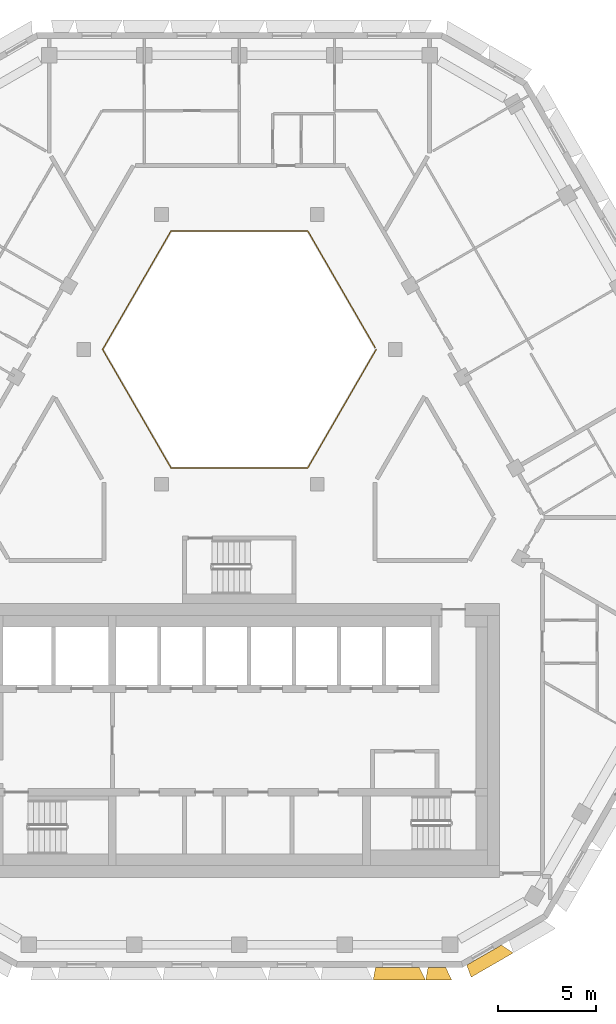
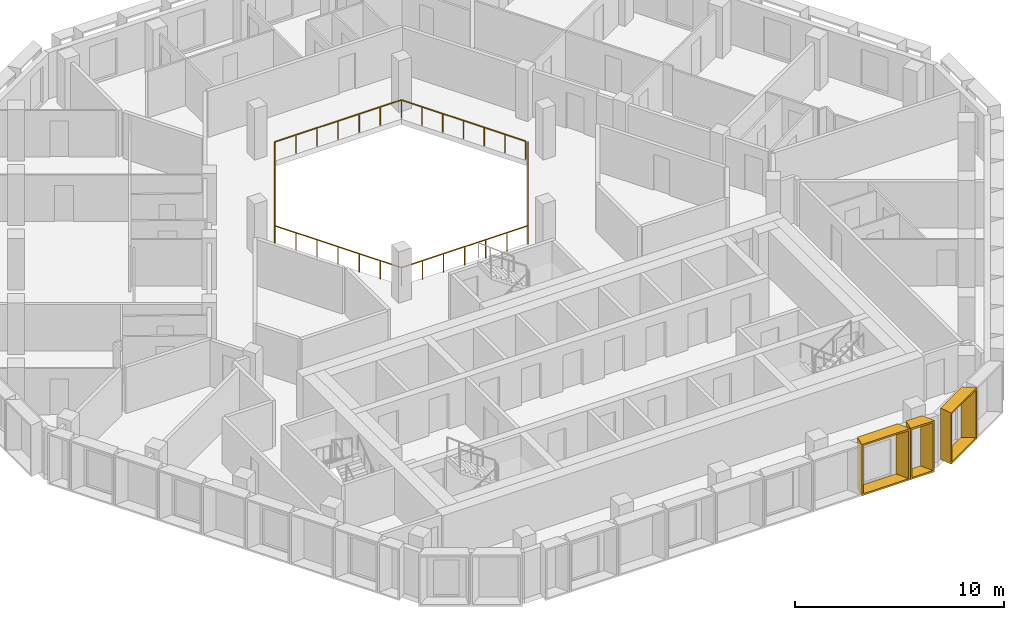
# One storey, part 13 of 15: 3 shading devices, 1 railing.
"""IFC4 building model written with IfcOpenShell, lengths in metres."""

from ifc_helpers import new_model, entity, si_unit, direction, frame, origin, origin_2d, place, context, subcontext, project, spatial, rectangle, extrude, source, transform, mapped, material, type_object, type_shapes, element, save


model = new_model("IFC4")

# Units and contexts
model_context = context("Model", 3, precision=1e-05, world=origin(), true_north=direction((0.0, 1.0)))
body_context = subcontext(model_context, "Body", "Model", "MODEL_VIEW")
ifc_project = project(units=[si_unit("LENGTHUNIT", "METRE"), si_unit("AREAUNIT", "SQUARE_METRE"), si_unit("VOLUMEUNIT", "CUBIC_METRE"), si_unit("PLANEANGLEUNIT", "RADIAN"), si_unit("MASSUNIT", "GRAM", prefix="KILO")], contexts=[model_context])

# Site, building, storey
site_placement = place(None, origin())
site = spatial("IfcSite", under=ifc_project, at=site_placement, CompositionType="ELEMENT")
building_placement = place(site_placement, origin())
building = spatial("IfcBuilding", under=site, at=building_placement, Name="Beryl Residences", CompositionType="ELEMENT")
storey_placement = place(building_placement, frame((0.0, 0.0, 193.199951171875)))
storey = spatial("IfcBuildingStorey", under=building, at=storey_placement, Name="L59", CompositionType="ELEMENT", Elevation=193.199951171875)

# Railing
ifc_material_1 = material(Name="Stainless steel balustrade with glass infill", Category="steel")
railing_type = type_object("IfcRailingType", Name="EG1 edge guard 1100 mm", PredefinedType="GUARDRAIL", material=ifc_material_1)
railing_placement = place(storey_placement, frame((6.9970703125, 8.0, 0.0)))
element("IfcRailing", 1, at=railing_placement, inside=storey, type_object=railing_type, Name="L59 atrium guard", PredefinedType="GUARDRAIL", context=body_context, shape_type="SweptSolid", body=[
    extrude(rectangle(XDim=0.048095703125, YDim=0.048095703125, at=origin_2d()), frame((0.0, 0.0, 1.076171875), z_axis=(-0.499921796684, -0.866070549782, 0.0), x_axis=(0.866070549782, -0.499921796684, 0.0)), (0.0, 0.0, 1.0), 6.9970703125),
    extrude(rectangle(XDim=0.048095703125, YDim=0.048095703125, at=origin_2d()), frame((-3.498046875, -6.06005859375, 1.076171875), z_axis=(-1.0, 0.0, 0.0), x_axis=(0.0, -1.0, 0.0)), (0.0, 0.0, 1.0), 6.998046875),
    extrude(rectangle(XDim=0.048095703125, YDim=0.048095703125, at=origin_2d()), frame((-10.49609375, -6.06005859375, 1.076171875), z_axis=(-0.499921796684, 0.866070549782, 0.0), x_axis=(-0.866070549782, -0.499921796684, 0.0)), (0.0, 0.0, 1.0), 6.9970703125),
    extrude(rectangle(XDim=0.048095703125, YDim=0.048095703125, at=origin_2d()), frame((-13.994140625, 0.0, 1.076171875), z_axis=(0.499921796684, 0.866070549782, 0.0), x_axis=(-0.866070549782, 0.499921796684, 0.0)), (0.0, 0.0, 1.0), 6.9970703125),
    extrude(rectangle(XDim=0.048095703125, YDim=0.048095703125, at=origin_2d()), frame((-10.49609375, 6.06005859375, 1.076171875), z_axis=(1.0, 0.0, 0.0), x_axis=(0.0, 1.0, 0.0)), (0.0, 0.0, 1.0), 6.998046875),
    extrude(rectangle(XDim=0.048095703125, YDim=0.048095703125, at=origin_2d()), frame((-3.498046875, 6.06005859375, 1.076171875), z_axis=(0.499919131929, -0.866072087953, 0.0), x_axis=(0.866072087953, 0.499919131929, 0.0)), (0.0, 0.0, 1.0), 6.877197265625),
    extrude(rectangle(XDim=0.0419921875, YDim=0.0419921875, at=origin_2d()), origin(), (0.0, 0.0, 1.0), 1.052001953125),
    extrude(rectangle(XDim=0.0419921875, YDim=0.0419921875, at=origin_2d()), frame((-0.5830078125, -1.010009765625, 0.0)), (0.0, 0.0, 1.0), 1.052001953125),
    extrude(rectangle(XDim=0.0419921875, YDim=0.0419921875, at=origin_2d()), frame((-1.166015625, -2.02001953125, 0.0)), (0.0, 0.0, 1.0), 1.052001953125),
    extrude(rectangle(XDim=0.0419921875, YDim=0.0419921875, at=origin_2d()), frame((-1.7490234375, -3.030029296875, 0.0)), (0.0, 0.0, 1.0), 1.052001953125),
    extrude(rectangle(XDim=0.0419921875, YDim=0.0419921875, at=origin_2d()), frame((-2.33203125, -4.0400390625, 0.0)), (0.0, 0.0, 1.0), 1.052001953125),
    extrude(rectangle(XDim=0.0419921875, YDim=0.0419921875, at=origin_2d()), frame((-2.9150390625, -5.050048828125, 0.0)), (0.0, 0.0, 1.0), 1.052001953125),
    extrude(rectangle(XDim=0.0419921875, YDim=0.0419921875, at=origin_2d()), frame((-3.498046875, -6.06005859375, 0.0)), (0.0, 0.0, 1.0), 1.052001953125),
    extrude(rectangle(XDim=0.0419921875, YDim=0.0419921875, at=origin_2d()), frame((-4.664306640625, -6.06005859375, 0.0)), (0.0, 0.0, 1.0), 1.052001953125),
    extrude(rectangle(XDim=0.0419921875, YDim=0.0419921875, at=origin_2d()), frame((-5.830810546875, -6.06005859375, 0.0)), (0.0, 0.0, 1.0), 1.052001953125),
    extrude(rectangle(XDim=0.0419921875, YDim=0.0419921875, at=origin_2d()), frame((-6.9970703125, -6.06005859375, 0.0)), (0.0, 0.0, 1.0), 1.052001953125),
    extrude(rectangle(XDim=0.0419921875, YDim=0.0419921875, at=origin_2d()), frame((-8.163330078125, -6.06005859375, 0.0)), (0.0, 0.0, 1.0), 1.052001953125),
    extrude(rectangle(XDim=0.0419921875, YDim=0.0419921875, at=origin_2d()), frame((-9.329833984375, -6.06005859375, 0.0)), (0.0, 0.0, 1.0), 1.052001953125),
    extrude(rectangle(XDim=0.0419921875, YDim=0.0419921875, at=origin_2d()), frame((-10.49609375, -6.06005859375, 0.0)), (0.0, 0.0, 1.0), 1.052001953125),
    extrude(rectangle(XDim=0.0419921875, YDim=0.0419921875, at=origin_2d()), frame((-11.0791015625, -5.050048828125, 0.0)), (0.0, 0.0, 1.0), 1.052001953125),
    extrude(rectangle(XDim=0.0419921875, YDim=0.0419921875, at=origin_2d()), frame((-11.662109375, -4.0400390625, 0.0)), (0.0, 0.0, 1.0), 1.052001953125),
    extrude(rectangle(XDim=0.0419921875, YDim=0.0419921875, at=origin_2d()), frame((-12.2451171875, -3.030029296875, 0.0)), (0.0, 0.0, 1.0), 1.052001953125),
    extrude(rectangle(XDim=0.0419921875, YDim=0.0419921875, at=origin_2d()), frame((-12.828125, -2.02001953125, 0.0)), (0.0, 0.0, 1.0), 1.052001953125),
    extrude(rectangle(XDim=0.0419921875, YDim=0.0419921875, at=origin_2d()), frame((-13.4111328125, -1.010009765625, 0.0)), (0.0, 0.0, 1.0), 1.052001953125),
    extrude(rectangle(XDim=0.0419921875, YDim=0.0419921875, at=origin_2d()), frame((-13.994140625, 0.0, 0.0)), (0.0, 0.0, 1.0), 1.052001953125),
    extrude(rectangle(XDim=0.0419921875, YDim=0.0419921875, at=origin_2d()), frame((-13.4111328125, 1.010009765625, 0.0)), (0.0, 0.0, 1.0), 1.052001953125),
    extrude(rectangle(XDim=0.0419921875, YDim=0.0419921875, at=origin_2d()), frame((-12.828125, 2.02001953125, 0.0)), (0.0, 0.0, 1.0), 1.052001953125),
    extrude(rectangle(XDim=0.0419921875, YDim=0.0419921875, at=origin_2d()), frame((-12.2451171875, 3.030029296875, 0.0)), (0.0, 0.0, 1.0), 1.052001953125),
    extrude(rectangle(XDim=0.0419921875, YDim=0.0419921875, at=origin_2d()), frame((-11.662109375, 4.0400390625, 0.0)), (0.0, 0.0, 1.0), 1.052001953125),
    extrude(rectangle(XDim=0.0419921875, YDim=0.0419921875, at=origin_2d()), frame((-11.0791015625, 5.050048828125, 0.0)), (0.0, 0.0, 1.0), 1.052001953125),
    extrude(rectangle(XDim=0.0419921875, YDim=0.0419921875, at=origin_2d()), frame((-10.49609375, 6.06005859375, 0.0)), (0.0, 0.0, 1.0), 1.052001953125),
    extrude(rectangle(XDim=0.0419921875, YDim=0.0419921875, at=origin_2d()), frame((-9.329833984375, 6.06005859375, 0.0)), (0.0, 0.0, 1.0), 1.052001953125),
    extrude(rectangle(XDim=0.0419921875, YDim=0.0419921875, at=origin_2d()), frame((-8.163330078125, 6.06005859375, 0.0)), (0.0, 0.0, 1.0), 1.052001953125),
    extrude(rectangle(XDim=0.0419921875, YDim=0.0419921875, at=origin_2d()), frame((-6.9970703125, 6.06005859375, 0.0)), (0.0, 0.0, 1.0), 1.052001953125),
    extrude(rectangle(XDim=0.0419921875, YDim=0.0419921875, at=origin_2d()), frame((-5.830810546875, 6.06005859375, 0.0)), (0.0, 0.0, 1.0), 1.052001953125),
    extrude(rectangle(XDim=0.0419921875, YDim=0.0419921875, at=origin_2d()), frame((-4.664306640625, 6.06005859375, 0.0)), (0.0, 0.0, 1.0), 1.052001953125),
    extrude(rectangle(XDim=0.0419921875, YDim=0.0419921875, at=origin_2d()), frame((-3.498046875, 6.06005859375, 0.0)), (0.0, 0.0, 1.0), 1.052001953125),
    extrude(rectangle(XDim=0.0419921875, YDim=0.0419921875, at=origin_2d()), frame((-2.925048828125, 5.0673828125, 0.0)), (0.0, 0.0, 1.0), 1.052001953125),
    extrude(rectangle(XDim=0.0419921875, YDim=0.0419921875, at=origin_2d()), frame((-2.35205078125, 4.07470703125, 0.0)), (0.0, 0.0, 1.0), 1.052001953125),
    extrude(rectangle(XDim=0.0419921875, YDim=0.0419921875, at=origin_2d()), frame((-1.779052734375, 3.08203125, 0.0)), (0.0, 0.0, 1.0), 1.052001953125),
    extrude(rectangle(XDim=0.0419921875, YDim=0.0419921875, at=origin_2d()), frame((-1.2060546875, 2.08935546875, 0.0)), (0.0, 0.0, 1.0), 1.052001953125),
    extrude(rectangle(XDim=0.0419921875, YDim=0.0419921875, at=origin_2d()), frame((-0.633056640625, 1.0966796875, 0.0)), (0.0, 0.0, 1.0), 1.052001953125),
    extrude(rectangle(XDim=0.0419921875, YDim=0.0419921875, at=origin_2d()), frame((-0.06005859375, 0.10400390625, 0.0)), (0.0, 0.0, 1.0), 1.052001953125),
])

# Shading devices
ifc_material_2 = material(Name="Aluminium pale anodised", Category="aluminium")
shading_device_type_1 = type_object("IfcShadingDeviceType", Name="FR135-65C OUTER SKIN frame 650 mm deep, splay 10/26 deg, 1350 x 3000 mm cell", PredefinedType="USERDEFINED", material=ifc_material_2)
cartesian_point_1 = entity("IfcCartesianPoint", [-0.448974609375, 0.0])
cartesian_point_2 = entity("IfcCartesianPoint", [-0.36767578125, 0.10009765625])
cartesian_point_3 = entity("IfcCartesianPoint", [-0.563720703125, 0.0])
cartesian_point_4 = entity("IfcCartesianPoint", [-0.482421875, 0.10009765625])
shared_shape_1 = source(origin(), body_context, "Body", "SweptSolid", [
    entity("IfcExtrudedAreaSolidTapered", entity("IfcArbitraryProfileDefWithVoids", "AREA", None, entity("IfcPolyline", [cartesian_point_1, entity("IfcCartesianPoint", [0.448974609375, 0.0]), entity("IfcCartesianPoint", [0.448974609375, 3.0]), entity("IfcCartesianPoint", [-0.448974609375, 3.0]), cartesian_point_1]), [entity("IfcPolyline", [cartesian_point_2, entity("IfcCartesianPoint", [0.360107421875, 0.10009765625]), entity("IfcCartesianPoint", [0.360107421875, 2.89990234375]), entity("IfcCartesianPoint", [-0.36767578125, 2.89990234375]), cartesian_point_2])]), entity("IfcAxis2Placement3D", entity("IfcCartesianPoint", [0.0, 0.0, 0.0]), entity("IfcDirection", [0.0, 1.0, 0.0]), entity("IfcDirection", [-1.0, 0.0, 0.0])), entity("IfcDirection", [0.0, 0.0, 1.0]), 0.64990234375, entity("IfcArbitraryProfileDefWithVoids", "AREA", None, entity("IfcPolyline", [cartesian_point_3, entity("IfcCartesianPoint", [0.76611328125, 0.0]), entity("IfcCartesianPoint", [0.76611328125, 3.0]), entity("IfcCartesianPoint", [-0.563720703125, 3.0]), cartesian_point_3]), [entity("IfcPolyline", [cartesian_point_4, entity("IfcCartesianPoint", [0.677001953125, 0.10009765625]), entity("IfcCartesianPoint", [0.677001953125, 2.89990234375]), entity("IfcCartesianPoint", [-0.482421875, 2.89990234375]), cartesian_point_4])])),
])
type_shapes(shading_device_type_1, [shared_shape_1])
shading_device_1_placement = place(storey_placement, frame((10.095947265625, -23.60009765625, 0.0), z_axis=(0.0, 0.0, 1.0), x_axis=(-1.0, 0.0, 0.0)))
element("IfcShadingDevice", 2, at=shading_device_1_placement, inside=storey, type_object=shading_device_type_1, Name="FR135-65C frame L59 S 9", ObjectType="OUTER SKIN", PredefinedType="USERDEFINED", context=body_context, shape_type="MappedRepresentation", body=[
    mapped(shared_shape_1, transform((0.0, 0.0, 0.0))),
])
ifc_material_3 = material(Name="Aluminium pale anodised", Category="aluminium")
shading_device_type_2 = type_object("IfcShadingDeviceType", Name="FR250-65C OUTER SKIN frame 650 mm deep, splay 10/26 deg, 2500 x 3000 mm cell", PredefinedType="USERDEFINED", material=ifc_material_3)
cartesian_point_5 = entity("IfcCartesianPoint", [-1.02392578125, 0.0])
cartesian_point_6 = entity("IfcCartesianPoint", [-0.94287109375, 0.10009765625])
cartesian_point_7 = entity("IfcCartesianPoint", [-1.138671875, 0.0])
cartesian_point_8 = entity("IfcCartesianPoint", [-1.057373046875, 0.10009765625])
shared_shape_2 = source(origin(), body_context, "Body", "SweptSolid", [
    entity("IfcExtrudedAreaSolidTapered", entity("IfcArbitraryProfileDefWithVoids", "AREA", None, entity("IfcPolyline", [cartesian_point_5, entity("IfcCartesianPoint", [1.02392578125, 0.0]), entity("IfcCartesianPoint", [1.02392578125, 3.0]), entity("IfcCartesianPoint", [-1.02392578125, 3.0]), cartesian_point_5]), [entity("IfcPolyline", [cartesian_point_6, entity("IfcCartesianPoint", [0.93505859375, 0.10009765625]), entity("IfcCartesianPoint", [0.93505859375, 2.89990234375]), entity("IfcCartesianPoint", [-0.94287109375, 2.89990234375]), cartesian_point_6])]), entity("IfcAxis2Placement3D", entity("IfcCartesianPoint", [0.0, 0.0, 0.0]), entity("IfcDirection", [0.0, 1.0, 0.0]), entity("IfcDirection", [-1.0, 0.0, 0.0])), entity("IfcDirection", [0.0, 0.0, 1.0]), 0.64990234375, entity("IfcArbitraryProfileDefWithVoids", "AREA", None, entity("IfcPolyline", [cartesian_point_7, entity("IfcCartesianPoint", [1.341064453125, 0.0]), entity("IfcCartesianPoint", [1.341064453125, 3.0]), entity("IfcCartesianPoint", [-1.138671875, 3.0]), cartesian_point_7]), [entity("IfcPolyline", [cartesian_point_8, entity("IfcCartesianPoint", [1.251953125, 0.10009765625]), entity("IfcCartesianPoint", [1.251953125, 2.89990234375]), entity("IfcCartesianPoint", [-1.057373046875, 2.89990234375]), cartesian_point_8])])),
])
type_shapes(shading_device_type_2, [shared_shape_2])
shading_device_2_placement = place(storey_placement, frame((12.513916015625, -22.97509765625, 0.0), z_axis=(0.0, 0.0, 1.0), x_axis=(-0.866025403784, -0.5, 0.0)))
element("IfcShadingDevice", 3, at=shading_device_2_placement, inside=storey, type_object=shading_device_type_2, Name="FR250-65C frame L59 S-SE 1", ObjectType="OUTER SKIN", PredefinedType="USERDEFINED", context=body_context, shape_type="MappedRepresentation", body=[
    mapped(shared_shape_2, transform((0.0, 0.0, 0.0))),
])
ifc_material_4 = material(Name="Aluminium pale anodised", Category="aluminium")
shading_device_type_3 = type_object("IfcShadingDeviceType", Name="FR269-65C OUTER SKIN frame 650 mm deep, splay 10/26 deg, 2690 x 3000 mm cell", PredefinedType="USERDEFINED", material=ifc_material_4)
cartesian_point_9 = entity("IfcCartesianPoint", [-1.118896484375, 0.0])
cartesian_point_10 = entity("IfcCartesianPoint", [-1.037841796875, 0.10009765625])
cartesian_point_11 = entity("IfcCartesianPoint", [-1.233642578125, 0.0])
cartesian_point_12 = entity("IfcCartesianPoint", [-1.15234375, 0.10009765625])
shared_shape_3 = source(origin(), body_context, "Body", "SweptSolid", [
    entity("IfcExtrudedAreaSolidTapered", entity("IfcArbitraryProfileDefWithVoids", "AREA", None, entity("IfcPolyline", [cartesian_point_9, entity("IfcCartesianPoint", [1.118896484375, 0.0]), entity("IfcCartesianPoint", [1.118896484375, 3.0]), entity("IfcCartesianPoint", [-1.118896484375, 3.0]), cartesian_point_9]), [entity("IfcPolyline", [cartesian_point_10, entity("IfcCartesianPoint", [1.030029296875, 0.10009765625]), entity("IfcCartesianPoint", [1.030029296875, 2.89990234375]), entity("IfcCartesianPoint", [-1.037841796875, 2.89990234375]), cartesian_point_10])]), entity("IfcAxis2Placement3D", entity("IfcCartesianPoint", [0.0, 0.0, 0.0]), entity("IfcDirection", [0.0, 1.0, 0.0]), entity("IfcDirection", [-1.0, 0.0, 0.0])), entity("IfcDirection", [0.0, 0.0, 1.0]), 0.64990234375, entity("IfcArbitraryProfileDefWithVoids", "AREA", None, entity("IfcPolyline", [cartesian_point_11, entity("IfcCartesianPoint", [1.43603515625, 0.0]), entity("IfcCartesianPoint", [1.43603515625, 3.0]), entity("IfcCartesianPoint", [-1.233642578125, 3.0]), cartesian_point_11]), [entity("IfcPolyline", [cartesian_point_12, entity("IfcCartesianPoint", [1.346923828125, 0.10009765625]), entity("IfcCartesianPoint", [1.346923828125, 2.89990234375]), entity("IfcCartesianPoint", [-1.15234375, 2.89990234375]), cartesian_point_12])])),
])
type_shapes(shading_device_type_3, [shared_shape_3])
shading_device_3_placement = place(storey_placement, frame((8.076904296875, -23.60009765625, 0.0), z_axis=(0.0, 0.0, 1.0), x_axis=(-1.0, 0.0, 0.0)))
element("IfcShadingDevice", 4, at=shading_device_3_placement, inside=storey, type_object=shading_device_type_3, Name="FR269-65C frame L59 S 8", ObjectType="OUTER SKIN", PredefinedType="USERDEFINED", context=body_context, shape_type="MappedRepresentation", body=[
    mapped(shared_shape_3, transform((0.0, 0.0, 0.0))),
])

save(model, "model.ifc")
